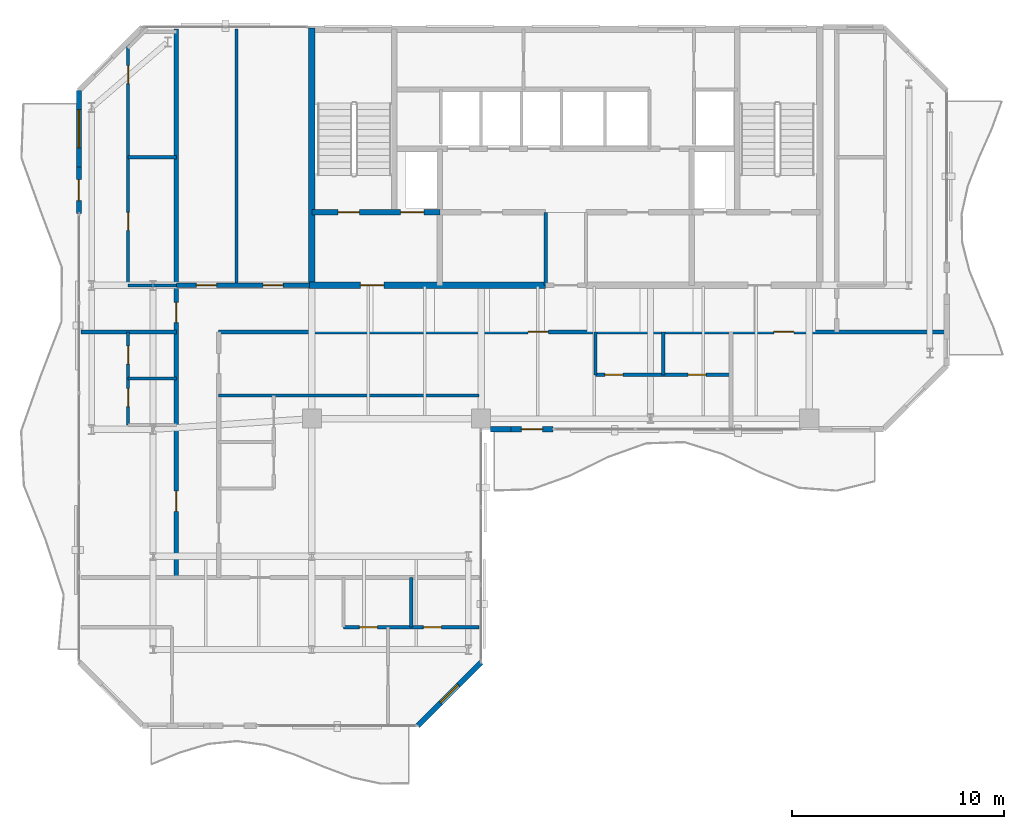
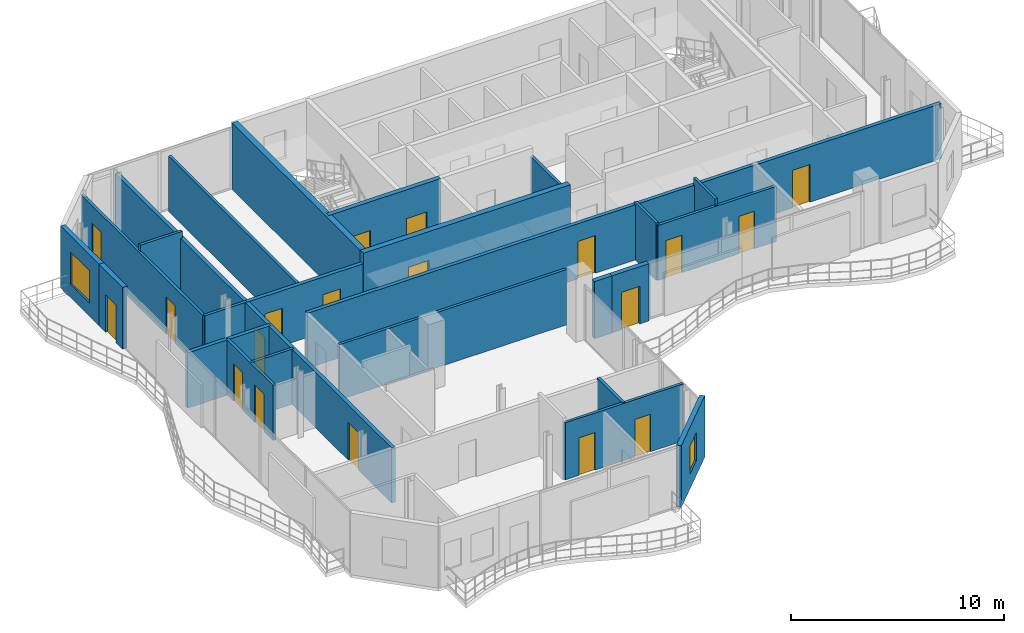
# One storey, part 18 of 23: 25 walls, 19 doors, 2 windows, 21 openings.
"""IFC4 building model written with IfcOpenShell, lengths in metres."""

from ifc_helpers import new_model, si_unit, direction, frame, frame_2d, origin, place, context, subcontext, project, spatial, rectangle, extrude, material, layer, layer_set, type_object, element, fill, save


model = new_model("IFC4")

# Units and contexts
model_context = context("Model", 3, precision=1e-05, world=origin(), true_north=direction((0.0, 1.0)))
body_context = subcontext(model_context, "Body", "Model", "MODEL_VIEW")
ifc_project = project(units=[si_unit("LENGTHUNIT", "METRE"), si_unit("AREAUNIT", "SQUARE_METRE"), si_unit("VOLUMEUNIT", "CUBIC_METRE"), si_unit("PLANEANGLEUNIT", "RADIAN"), si_unit("MASSUNIT", "GRAM", prefix="KILO")], contexts=[model_context])

# Site, building, storey
site_placement = place(None, origin())
site = spatial("IfcSite", under=ifc_project, at=site_placement, CompositionType="ELEMENT")
building_placement = place(site_placement, origin())
building = spatial("IfcBuilding", under=site, at=building_placement, Name="Catumbela Crestline Tower", CompositionType="ELEMENT")
storey_placement = place(building_placement, frame((0.0, 0.0, 245.0)))
storey = spatial("IfcBuildingStorey", under=building, at=storey_placement, Name="L63", CompositionType="ELEMENT", Elevation=245.0)

# Wall, openings, doors
ifc_material_1 = material(Name="Concrete C50/60", Category="concrete")
ifc_layer_1 = layer(ifc_material_1, 0.25, Name="Concrete C50/60")
ifc_layer_set_1 = layer_set([ifc_layer_1], Name="Concrete C50/60")
wall_type_1 = type_object("IfcWallType", Name="CW-250D", PredefinedType="SHEAR", material=ifc_layer_set_1)
wall_1_placement = place(storey_placement, frame((16.0, 34.25, 0.0), z_axis=(0.0, 0.0, 1.0), x_axis=(1.0, 0.0, 0.0)))
wall_1 = element("IfcWall", 1, at=wall_1_placement, inside=storey, type_object=wall_type_1, Name="L63 Structural Core Shear Wall ST1S", PredefinedType="SHEAR", context=body_context, shape_type="SweptSolid", body=[
    extrude(rectangle(XDim=6.05, YDim=0.25, at=frame_2d((3.025, 0.0))), origin(), (0.0, 0.0, 1.0), 3.8),
])
opening_1_placement = place(wall_1_placement, frame((1.25, 0.0, 0.0)))
opening_1 = element("IfcOpeningElement", 2, at=opening_1_placement, cuts=wall_1, Name="Opening DF9-100", PredefinedType="OPENING", context=body_context, shape_type="SweptSolid", body=[
    extrude(rectangle(XDim=1.0, YDim=2.15, at=frame_2d((0.5, 1.075))), frame((0.0, 0.135, 0.0), z_axis=(0.0, -1.0, 0.0), x_axis=(1.0, 0.0, 0.0)), (0.0, 0.0, 1.0), 0.27),
])
opening_2_placement = place(wall_1_placement, frame((4.2, 0.0, 0.0)))
opening_2 = element("IfcOpeningElement", 3, at=opening_2_placement, cuts=wall_1, Name="Opening LD-110", PredefinedType="OPENING", context=body_context, shape_type="SweptSolid", body=[
    extrude(rectangle(XDim=1.1, YDim=2.15, at=frame_2d((0.55, 1.075))), frame((0.0, 0.135, 0.0), z_axis=(0.0, -1.0, 0.0), x_axis=(1.0, 0.0, 0.0)), (0.0, 0.0, 1.0), 0.27),
])
ifc_material_2 = material(Name="Stainless steel EN 1.4401", Category="steel")
door_type_1 = type_object("IfcDoorType", Name="DF9-100", OperationType="NOTDEFINED", PredefinedType="DOOR", material=ifc_material_2)
door_1_placement = place(opening_1_placement, origin())
door_1 = element("IfcDoor", 4, at=door_1_placement, inside=storey, type_object=door_type_1, Name="L63 Interior Door DR-L63-ST01", OperationType="SINGLE_SWING_LEFT", OverallHeight=2.15, OverallWidth=1.0, PredefinedType="DOOR", context=body_context, shape_type="SweptSolid", body=[
    extrude(rectangle(XDim=1.0, YDim=2.15, at=frame_2d((0.5, 1.075))), frame((0.0, 0.025, 0.0), z_axis=(0.0, -1.0, 0.0), x_axis=(1.0, 0.0, 0.0)), (0.0, 0.0, 1.0), 0.05),
])
fill(opening_1, door_1)
door_type_2 = type_object("IfcDoorType", Name="LD-110", OperationType="NOTDEFINED", PredefinedType="DOOR", material=ifc_material_2)
door_2_placement = place(opening_2_placement, origin())
door_2 = element("IfcDoor", 5, at=door_2_placement, inside=storey, type_object=door_type_2, Name="L63 Lift Landing Sliding Door FL-01", OperationType="DOUBLE_DOOR_SLIDING", OverallHeight=2.15, OverallWidth=1.1, PredefinedType="DOOR", context=body_context, shape_type="SweptSolid", body=[
    extrude(rectangle(XDim=1.1, YDim=2.15, at=frame_2d((0.55, 1.075))), frame((0.0, 0.025, 0.0), z_axis=(0.0, -1.0, 0.0), x_axis=(1.0, 0.0, 0.0)), (0.0, 0.0, 1.0), 0.05),
])
fill(opening_2, door_2)

# Wall
ifc_material_3 = material(Name="Concrete C45/55", Category="concrete")
ifc_layer_2 = layer(ifc_material_3, 0.3, Name="Concrete C45/55")
ifc_layer_set_2 = layer_set([ifc_layer_2], Name="Concrete C45/55")
wall_type_2 = type_object("IfcWallType", Name="CW-300C", PredefinedType="SHEAR", material=ifc_layer_set_2)
wall_2_placement = place(storey_placement, frame((16.0, 30.65, 0.0), z_axis=(0.0, 0.0, 1.0), x_axis=(0.0, 1.0, 0.0)))
element("IfcWall", 6, at=wall_2_placement, inside=storey, type_object=wall_type_2, Name="L63 Structural Core Shear Wall W", PredefinedType="SHEAR", context=body_context, shape_type="SweptSolid", body=[
    extrude(rectangle(XDim=12.3, YDim=0.3, at=frame_2d((6.15, 0.0))), origin(), (0.0, 0.0, 1.0), 3.8),
])

# Wall, opening, door
wall_3_placement = place(storey_placement, frame((15.85, 30.8, 0.0), z_axis=(0.0, 0.0, 1.0), x_axis=(1.0, 0.0, 0.0)))
wall_3 = element("IfcWall", 7, at=wall_3_placement, inside=storey, type_object=wall_type_2, Name="L63 Structural Core Shear Wall SW", PredefinedType="SHEAR", context=body_context, shape_type="SweptSolid", body=[
    extrude(rectangle(XDim=11.2, YDim=0.3, at=frame_2d((5.6, 0.0))), origin(), (0.0, 0.0, 1.0), 3.8),
])
opening_3_placement = place(wall_3_placement, frame((2.45, 0.0, 0.0)))
opening_3 = element("IfcOpeningElement", 8, at=opening_3_placement, cuts=wall_3, Name="Opening DF9-110", PredefinedType="OPENING", context=body_context, shape_type="SweptSolid", body=[
    extrude(rectangle(XDim=1.1, YDim=2.15, at=frame_2d((0.55, 1.075))), frame((0.0, 0.16, 0.0), z_axis=(0.0, -1.0, 0.0), x_axis=(1.0, 0.0, 0.0)), (0.0, 0.0, 1.0), 0.32),
])
door_type_3 = type_object("IfcDoorType", Name="DF9-110", OperationType="NOTDEFINED", PredefinedType="DOOR", material=ifc_material_2)
door_3_placement = place(opening_3_placement, origin())
door_3 = element("IfcDoor", 9, at=door_3_placement, inside=storey, type_object=door_type_3, Name="L63 Interior Door DR-L63-FFW-S", OperationType="SINGLE_SWING_LEFT", OverallHeight=2.15, OverallWidth=1.1, PredefinedType="DOOR", context=body_context, shape_type="SweptSolid", body=[
    extrude(rectangle(XDim=1.1, YDim=2.15, at=frame_2d((0.55, 1.075))), frame((0.0, 0.025, 0.0), z_axis=(0.0, -1.0, 0.0), x_axis=(1.0, 0.0, 0.0)), (0.0, 0.0, 1.0), 0.05),
])
fill(opening_3, door_3)

# Wall, openings, doors
ifc_material_4 = material(Name="Acoustic gypsum and mineral-wool partition")
ifc_layer_3 = layer(ifc_material_4, 0.2, Name="Acoustic gypsum and mineral-wool partition")
ifc_layer_set_3 = layer_set([ifc_layer_3], Name="Acoustic gypsum and mineral-wool partition")
wall_type_3 = type_object("IfcWallType", Name="WC-200", PredefinedType="PARTITIONING", material=ifc_layer_set_3)
wall_4_placement = place(storey_placement, frame((11.6, 28.6, 0.0), z_axis=(0.0, 0.0, 1.0), x_axis=(1.0, 0.0, 0.0)))
wall_4 = element("IfcWall", 10, at=wall_4_placement, inside=storey, type_object=wall_type_3, Name="L63 Interior Partition PW-L63-RCWR", PredefinedType="PARTITIONING", context=body_context, shape_type="SweptSolid", body=[
    extrude(rectangle(XDim=34.3, YDim=0.2, at=frame_2d((17.15, 0.0))), origin(), (0.0, 0.0, 1.0), 3.16),
])
opening_4_placement = place(wall_4_placement, frame((14.625, 0.0, 0.0)))
opening_4 = element("IfcOpeningElement", 11, at=opening_4_placement, cuts=wall_4, Name="Opening DF6-095", PredefinedType="OPENING", context=body_context, shape_type="SweptSolid", body=[
    extrude(rectangle(XDim=0.95, YDim=2.15, at=frame_2d((0.475, 1.075))), frame((0.0, 0.11, 0.0), z_axis=(0.0, -1.0, 0.0), x_axis=(1.0, 0.0, 0.0)), (0.0, 0.0, 1.0), 0.22),
])
opening_5_placement = place(wall_4_placement, frame((26.225, 0.0, 0.0)))
opening_5 = element("IfcOpeningElement", 12, at=opening_5_placement, cuts=wall_4, Name="Opening DF6-095", PredefinedType="OPENING", context=body_context, shape_type="SweptSolid", body=[
    extrude(rectangle(XDim=0.95, YDim=2.15, at=frame_2d((0.475, 1.075))), frame((0.0, 0.11, 0.0), z_axis=(0.0, -1.0, 0.0), x_axis=(1.0, 0.0, 0.0)), (0.0, 0.0, 1.0), 0.22),
])
ifc_material_5 = material(Name="Aluminium alloy AW-6060-T66", Category="aluminium")
door_type_4 = type_object("IfcDoorType", Name="DF6-095", OperationType="NOTDEFINED", PredefinedType="DOOR", material=ifc_material_5)
door_4_placement = place(opening_4_placement, origin())
door_4 = element("IfcDoor", 13, at=door_4_placement, inside=storey, type_object=door_type_4, Name="L63 Interior Door DR-L63-S1-ENT", OperationType="SINGLE_SWING_LEFT", OverallHeight=2.15, OverallWidth=0.95, PredefinedType="DOOR", context=body_context, shape_type="SweptSolid", body=[
    extrude(rectangle(XDim=0.95, YDim=2.15, at=frame_2d((0.475, 1.075))), frame((0.0, 0.025, 0.0), z_axis=(0.0, -1.0, 0.0), x_axis=(1.0, 0.0, 0.0)), (0.0, 0.0, 1.0), 0.05),
])
fill(opening_4, door_4)
door_5_placement = place(opening_5_placement, origin())
door_5 = element("IfcDoor", 14, at=door_5_placement, inside=storey, type_object=door_type_4, Name="L63 Interior Door DR-L63-RWIN-ENT", OperationType="SINGLE_SWING_LEFT", OverallHeight=2.15, OverallWidth=0.95, PredefinedType="DOOR", context=body_context, shape_type="SweptSolid", body=[
    extrude(rectangle(XDim=0.95, YDim=2.15, at=frame_2d((0.475, 1.075))), frame((0.0, 0.025, 0.0), z_axis=(0.0, -1.0, 0.0), x_axis=(1.0, 0.0, 0.0)), (0.0, 0.0, 1.0), 0.05),
])
fill(opening_5, door_5)

wall_5_placement = place(storey_placement, frame((9.6, 17.0, 0.0), z_axis=(0.0, 0.0, 1.0), x_axis=(0.0, 1.0, 0.0)))
wall_5 = element("IfcWall", 15, at=wall_5_placement, inside=storey, type_object=wall_type_3, Name="L63 Interior Partition PW-L63-NW1-ENT", PredefinedType="PARTITIONING", context=body_context, shape_type="SweptSolid", body=[
    extrude(rectangle(XDim=25.9, YDim=0.2, at=frame_2d((12.95, 0.0))), origin(), (0.0, 0.0, 1.0), 3.16),
])
opening_6_placement = place(wall_5_placement, frame((12.045, 0.0, 0.0)))
opening_6 = element("IfcOpeningElement", 16, at=opening_6_placement, cuts=wall_5, Name="Opening DF6-095", PredefinedType="OPENING", context=body_context, shape_type="SweptSolid", body=[
    extrude(rectangle(XDim=0.95, YDim=2.15, at=frame_2d((0.475, 1.075))), frame((0.0, 0.11, 0.0), z_axis=(0.0, -1.0, 0.0), x_axis=(1.0, 0.0, 0.0)), (0.0, 0.0, 1.0), 0.22),
])
opening_7_placement = place(wall_5_placement, frame((3.125, 0.0, 0.0)))
opening_7 = element("IfcOpeningElement", 17, at=opening_7_placement, cuts=wall_5, Name="Opening DF6-095", PredefinedType="OPENING", context=body_context, shape_type="SweptSolid", body=[
    extrude(rectangle(XDim=0.95, YDim=2.15, at=frame_2d((0.475, 1.075))), frame((0.0, 0.11, 0.0), z_axis=(0.0, -1.0, 0.0), x_axis=(1.0, 0.0, 0.0)), (0.0, 0.0, 1.0), 0.22),
])
door_6_placement = place(opening_6_placement, origin())
door_6 = element("IfcDoor", 18, at=door_6_placement, inside=storey, type_object=door_type_4, Name="L63 Interior Door DR-L63-NW1-ENT", OperationType="SINGLE_SWING_LEFT", OverallHeight=2.15, OverallWidth=0.95, PredefinedType="DOOR", context=body_context, shape_type="SweptSolid", body=[
    extrude(rectangle(XDim=0.95, YDim=2.15, at=frame_2d((0.475, 1.075))), frame((0.0, 0.025, 0.0), z_axis=(0.0, -1.0, 0.0), x_axis=(1.0, 0.0, 0.0)), (0.0, 0.0, 1.0), 0.05),
])
fill(opening_6, door_6)
door_7_placement = place(opening_7_placement, origin())
door_7 = element("IfcDoor", 19, at=door_7_placement, inside=storey, type_object=door_type_4, Name="L63 Interior Door DR-L63-WL1-ENT", OperationType="SINGLE_SWING_LEFT", OverallHeight=2.15, OverallWidth=0.95, PredefinedType="DOOR", context=body_context, shape_type="SweptSolid", body=[
    extrude(rectangle(XDim=0.95, YDim=2.15, at=frame_2d((0.475, 1.075))), frame((0.0, 0.025, 0.0), z_axis=(0.0, -1.0, 0.0), x_axis=(1.0, 0.0, 0.0)), (0.0, 0.0, 1.0), 0.05),
])
fill(opening_7, door_7)

wall_6_placement = place(storey_placement, frame((9.6, 30.8, 0.0), z_axis=(0.0, 0.0, 1.0), x_axis=(1.0, 0.0, 0.0)))
wall_6 = element("IfcWall", 20, at=wall_6_placement, inside=storey, type_object=wall_type_3, Name="L63 Interior Partition PW-L63-NWST-ENT", PredefinedType="PARTITIONING", context=body_context, shape_type="SweptSolid", body=[
    extrude(rectangle(XDim=6.3, YDim=0.2, at=frame_2d((3.15, 0.0))), origin(), (0.0, 0.0, 1.0), 3.16),
])
opening_8_placement = place(wall_6_placement, frame((0.95, 0.0, 0.0)))
opening_8 = element("IfcOpeningElement", 21, at=opening_8_placement, cuts=wall_6, Name="Opening DF6-095", PredefinedType="OPENING", context=body_context, shape_type="SweptSolid", body=[
    extrude(rectangle(XDim=0.95, YDim=2.15, at=frame_2d((0.475, 1.075))), frame((0.0, 0.11, 0.0), z_axis=(0.0, -1.0, 0.0), x_axis=(1.0, 0.0, 0.0)), (0.0, 0.0, 1.0), 0.22),
])
opening_9_placement = place(wall_6_placement, frame((4.1, 0.0, 0.0)))
opening_9 = element("IfcOpeningElement", 22, at=opening_9_placement, cuts=wall_6, Name="Opening DF6-095", PredefinedType="OPENING", context=body_context, shape_type="SweptSolid", body=[
    extrude(rectangle(XDim=0.95, YDim=2.15, at=frame_2d((0.475, 1.075))), frame((0.0, 0.11, 0.0), z_axis=(0.0, -1.0, 0.0), x_axis=(1.0, 0.0, 0.0)), (0.0, 0.0, 1.0), 0.22),
])
door_8_placement = place(opening_8_placement, origin())
door_8 = element("IfcDoor", 23, at=door_8_placement, inside=storey, type_object=door_type_4, Name="L63 Interior Door DR-L63-NWST-ENT", OperationType="SINGLE_SWING_LEFT", OverallHeight=2.15, OverallWidth=0.95, PredefinedType="DOOR", context=body_context, shape_type="SweptSolid", body=[
    extrude(rectangle(XDim=0.95, YDim=2.15, at=frame_2d((0.475, 1.075))), frame((0.0, 0.025, 0.0), z_axis=(0.0, -1.0, 0.0), x_axis=(1.0, 0.0, 0.0)), (0.0, 0.0, 1.0), 0.05),
])
fill(opening_8, door_8)
door_9_placement = place(opening_9_placement, origin())
door_9 = element("IfcDoor", 24, at=door_9_placement, inside=storey, type_object=door_type_4, Name="L63 Interior Door DR-L63-NWMT-ENT", OperationType="SINGLE_SWING_LEFT", OverallHeight=2.15, OverallWidth=0.95, PredefinedType="DOOR", context=body_context, shape_type="SweptSolid", body=[
    extrude(rectangle(XDim=0.95, YDim=2.15, at=frame_2d((0.475, 1.075))), frame((0.0, 0.025, 0.0), z_axis=(0.0, -1.0, 0.0), x_axis=(1.0, 0.0, 0.0)), (0.0, 0.0, 1.0), 0.05),
])
fill(opening_9, door_9)

# Wall, opening, window
ifc_material_6 = material(Name="Angolan grey-ochre granite", Category="masonry")
ifc_layer_4 = layer(ifc_material_6, 0.25, Name="Angolan grey-ochre granite")
ifc_layer_set_4 = layer_set([ifc_layer_4], Name="Angolan grey-ochre granite")
wall_type_4 = type_object("IfcWallType", Name="WE-250", PredefinedType="STANDARD", material=ifc_layer_set_4)
wall_7_placement = place(storey_placement, frame((21.0, 10.0, 0.0), z_axis=(0.0, 0.0, 1.0), x_axis=(0.707106781187, 0.707106781187, 0.0)))
wall_7 = element("IfcWall", 25, at=wall_7_placement, inside=storey, type_object=wall_type_4, Name="L63 Granite Punched Window Wall 1-1", PredefinedType="STANDARD", context=body_context, shape_type="SweptSolid", body=[
    extrude(rectangle(XDim=4.2426, YDim=0.25, at=frame_2d((2.1213, 0.0))), origin(), (0.0, 0.0, 1.0), 3.53),
])
opening_10_placement = place(wall_7_placement, frame((1.5213, 0.0, 0.85)))
opening_10 = element("IfcOpeningElement", 26, at=opening_10_placement, cuts=wall_7, Name="Opening WN-02", PredefinedType="OPENING", context=body_context, shape_type="SweptSolid", body=[
    extrude(rectangle(XDim=1.2, YDim=1.6, at=frame_2d((0.6, 0.8))), frame((0.0, 0.135, 0.0), z_axis=(0.0, -1.0, 0.0), x_axis=(1.0, 0.0, 0.0)), (0.0, 0.0, 1.0), 0.27),
])
ifc_material_7 = material(Name="Low-E laminated solar-control double glazing", Category="glass")
window_type_1 = type_object("IfcWindowType", Name="WO-1200", PartitioningType="SINGLE_PANEL", PredefinedType="WINDOW", material=ifc_material_7)
window_1_placement = place(opening_10_placement, origin())
window_1 = element("IfcWindow", 27, at=window_1_placement, inside=storey, type_object=window_type_1, Name="L63 Facade Vision Window 470", OverallHeight=1.6, OverallWidth=1.2, PartitioningType="SINGLE_PANEL", PredefinedType="WINDOW", context=body_context, shape_type="SweptSolid", body=[
    extrude(rectangle(XDim=1.2, YDim=1.6, at=frame_2d((0.6, 0.8))), frame((0.0, 0.03, 0.0), z_axis=(0.0, -1.0, 0.0), x_axis=(1.0, 0.0, 0.0)), (0.0, 0.0, 1.0), 0.06),
])
fill(opening_10, window_1)

# Wall, opening, door
wall_8_placement = place(storey_placement, frame((25.4, 24.0, 0.0), z_axis=(0.0, 0.0, 1.0), x_axis=(1.0, 0.0, 0.0)))
wall_8 = element("IfcWall", 28, at=wall_8_placement, inside=storey, type_object=wall_type_4, Name="L63 Exterior Threshold Portal Wall DR-L63-WBAL-1", PredefinedType="STANDARD", context=body_context, shape_type="SweptSolid", body=[
    extrude(rectangle(XDim=2.0, YDim=0.25, at=frame_2d((1.0, 0.0))), origin(), (0.0, 0.0, 1.0), 3.27),
])
opening_11_placement = place(wall_8_placement, frame((0.5, 0.0, 0.0)))
opening_11 = element("IfcOpeningElement", 29, at=opening_11_placement, cuts=wall_8, Name="Opening DB-L63-1", PredefinedType="OPENING", context=body_context, shape_type="SweptSolid", body=[
    extrude(rectangle(XDim=1.0, YDim=2.15, at=frame_2d((0.5, 1.075))), frame((0.0, 0.135, 0.0), z_axis=(0.0, -1.0, 0.0), x_axis=(1.0, 0.0, 0.0)), (0.0, 0.0, 1.0), 0.27),
])
door_type_5 = type_object("IfcDoorType", Name="DB-1000", OperationType="NOTDEFINED", PredefinedType="DOOR", material=ifc_material_5)
door_10_placement = place(opening_11_placement, origin())
door_10 = element("IfcDoor", 30, at=door_10_placement, inside=storey, type_object=door_type_5, Name="L63 Wave Balcony Terrace Door 1", OperationType="SINGLE_SWING_LEFT", OverallHeight=2.15, OverallWidth=1.0, PredefinedType="DOOR", context=body_context, shape_type="SweptSolid", body=[
    extrude(rectangle(XDim=1.0, YDim=2.15, at=frame_2d((0.5, 1.075))), frame((0.0, 0.025, 0.0), z_axis=(0.0, -1.0, 0.0), x_axis=(1.0, 0.0, 0.0)), (0.0, 0.0, 1.0), 0.05),
])
fill(opening_11, door_10)

# Wall
wall_9_placement = place(storey_placement, frame((24.45, 24.0, 0.0), z_axis=(0.0, 0.0, 1.0), x_axis=(1.0, 0.0, 0.0)))
element("IfcWall", 31, at=wall_9_placement, inside=storey, type_object=wall_type_4, Name="L63 Granite Punched Window Wall 3-1", PredefinedType="STANDARD", context=body_context, shape_type="SweptSolid", body=[
    extrude(rectangle(XDim=0.95, YDim=0.25, at=frame_2d((0.475, 0.0))), origin(), (0.0, 0.0, 1.0), 3.27),
])

# Wall, opening, door
wall_10_placement = place(storey_placement, frame((5.0, 36.4, 0.0), z_axis=(0.0, 0.0, 1.0), x_axis=(0.0, -1.0, 0.0)))
wall_10 = element("IfcWall", 32, at=wall_10_placement, inside=storey, type_object=wall_type_4, Name="L63 Exterior Threshold Portal Wall DR-L63-WBAL-4", PredefinedType="STANDARD", context=body_context, shape_type="SweptSolid", body=[
    extrude(rectangle(XDim=2.2, YDim=0.25, at=frame_2d((1.1, 0.0))), origin(), (0.0, 0.0, 1.0), 3.53),
])
opening_12_placement = place(wall_10_placement, frame((0.6, 0.0, 0.0)))
opening_12 = element("IfcOpeningElement", 33, at=opening_12_placement, cuts=wall_10, Name="Opening DB-L63-4", PredefinedType="OPENING", context=body_context, shape_type="SweptSolid", body=[
    extrude(rectangle(XDim=1.0, YDim=2.15, at=frame_2d((0.5, 1.075))), frame((0.0, 0.135, 0.0), z_axis=(0.0, -1.0, 0.0), x_axis=(1.0, 0.0, 0.0)), (0.0, 0.0, 1.0), 0.27),
])
door_11_placement = place(opening_12_placement, origin())
door_11 = element("IfcDoor", 34, at=door_11_placement, inside=storey, type_object=door_type_5, Name="L63 Wave Balcony Terrace Door 4", OperationType="SINGLE_SWING_RIGHT", OverallHeight=2.15, OverallWidth=1.0, PredefinedType="DOOR", context=body_context, shape_type="SweptSolid", body=[
    extrude(rectangle(XDim=1.0, YDim=2.15, at=frame_2d((0.5, 1.075))), frame((0.0, 0.025, 0.0), z_axis=(0.0, -1.0, 0.0), x_axis=(1.0, 0.0, 0.0)), (0.0, 0.0, 1.0), 0.05),
])
fill(opening_12, door_11)

# Wall, opening, window
wall_11_placement = place(storey_placement, frame((5.0, 40.0, 0.0), z_axis=(0.0, 0.0, 1.0), x_axis=(0.0, -1.0, 0.0)))
wall_11 = element("IfcWall", 35, at=wall_11_placement, inside=storey, type_object=wall_type_4, Name="L63 Granite Punched Window Wall 9-1", PredefinedType="STANDARD", context=body_context, shape_type="SweptSolid", body=[
    extrude(rectangle(XDim=3.6, YDim=0.25, at=frame_2d((1.8, 0.0))), origin(), (0.0, 0.0, 1.0), 3.53),
])
opening_13_placement = place(wall_11_placement, frame((0.9, 0.0, 0.75)))
opening_13 = element("IfcOpeningElement", 36, at=opening_13_placement, cuts=wall_11, Name="Opening WN-01", PredefinedType="OPENING", context=body_context, shape_type="SweptSolid", body=[
    extrude(rectangle(XDim=1.8, YDim=1.85, at=frame_2d((0.9, 0.925))), frame((0.0, 0.135, 0.0), z_axis=(0.0, -1.0, 0.0), x_axis=(1.0, 0.0, 0.0)), (0.0, 0.0, 1.0), 0.27),
])
window_type_2 = type_object("IfcWindowType", Name="WF-1800", PartitioningType="SINGLE_PANEL", PredefinedType="WINDOW", material=ifc_material_7)
window_2_placement = place(opening_13_placement, origin())
window_2 = element("IfcWindow", 37, at=window_2_placement, inside=storey, type_object=window_type_2, Name="L63 Facade Vision Window 477", OverallHeight=1.85, OverallWidth=1.8, PartitioningType="SINGLE_PANEL", PredefinedType="WINDOW", context=body_context, shape_type="SweptSolid", body=[
    extrude(rectangle(XDim=1.8, YDim=1.85, at=frame_2d((0.9, 0.925))), frame((0.0, 0.03, 0.0), z_axis=(0.0, -1.0, 0.0), x_axis=(1.0, 0.0, 0.0)), (0.0, 0.0, 1.0), 0.06),
])
fill(opening_13, window_2)

# Walls
ifc_layer_5 = layer(ifc_material_4, 0.15, Name="Acoustic gypsum and mineral-wool partition")
ifc_layer_set_5 = layer_set([ifc_layer_5], Name="Acoustic gypsum and mineral-wool partition")
wall_type_5 = type_object("IfcWallType", Name="WP-150", PredefinedType="PARTITIONING", material=ifc_layer_set_5)
wall_12_placement = place(storey_placement, frame((7.32, 30.8, 0.0), z_axis=(0.0, 0.0, 1.0), x_axis=(1.0, 0.0, 0.0)))
element("IfcWall", 38, at=wall_12_placement, inside=storey, type_object=wall_type_5, Name="L63 Interior Partition PW-L63-NW1-KBS", PredefinedType="PARTITIONING", context=body_context, shape_type="SweptSolid", body=[
    extrude(rectangle(XDim=2.28, YDim=0.15, at=frame_2d((1.14, 0.0))), origin(), (0.0, 0.0, 1.0), 3.16),
])
wall_13_placement = place(storey_placement, frame((7.32, 36.85, 0.0), z_axis=(0.0, 0.0, 1.0), x_axis=(1.0, 0.0, 0.0)))
element("IfcWall", 39, at=wall_13_placement, inside=storey, type_object=wall_type_5, Name="L63 Interior Partition PW-L63-NW1-KBM", PredefinedType="PARTITIONING", context=body_context, shape_type="SweptSolid", body=[
    extrude(rectangle(XDim=2.28, YDim=0.15, at=frame_2d((1.14, 0.0))), origin(), (0.0, 0.0, 1.0), 3.53),
])

# Wall, openings, doors
wall_14_placement = place(storey_placement, frame((7.32, 30.8, 0.0), z_axis=(0.0, 0.0, 1.0), x_axis=(0.0, 1.0, 0.0)))
wall_14 = element("IfcWall", 40, at=wall_14_placement, inside=storey, type_object=wall_type_5, Name="L63 Interior Partition PW-L63-NW1-SK1", PredefinedType="PARTITIONING", context=body_context, shape_type="SweptSolid", body=[
    extrude(rectangle(XDim=11.42, YDim=0.15, at=frame_2d((5.71, 0.0))), origin(), (0.0, 0.0, 1.0), 3.16),
])
opening_14_placement = place(wall_14_placement, frame((2.6, 0.0, 0.0)))
opening_14 = element("IfcOpeningElement", 41, at=opening_14_placement, cuts=wall_14, Name="Opening DI-085", PredefinedType="OPENING", context=body_context, shape_type="SweptSolid", body=[
    extrude(rectangle(XDim=0.85, YDim=2.15, at=frame_2d((0.425, 1.075))), frame((0.0, 0.085, 0.0), z_axis=(0.0, -1.0, 0.0), x_axis=(1.0, 0.0, 0.0)), (0.0, 0.0, 1.0), 0.17),
])
opening_15_placement = place(wall_14_placement, frame((9.5261, 0.0, 0.0)))
opening_15 = element("IfcOpeningElement", 42, at=opening_15_placement, cuts=wall_14, Name="Opening DI-085", PredefinedType="OPENING", context=body_context, shape_type="SweptSolid", body=[
    extrude(rectangle(XDim=0.85, YDim=2.15, at=frame_2d((0.425, 1.075))), frame((0.0, 0.085, 0.0), z_axis=(0.0, -1.0, 0.0), x_axis=(1.0, 0.0, 0.0)), (0.0, 0.0, 1.0), 0.17),
])
door_type_6 = type_object("IfcDoorType", Name="DI-085", OperationType="NOTDEFINED", PredefinedType="DOOR", material=ifc_material_5)
door_12_placement = place(opening_14_placement, origin())
door_12 = element("IfcDoor", 43, at=door_12_placement, inside=storey, type_object=door_type_6, Name="L63 Interior Door DR-L63-NW1-KIT", OperationType="SINGLE_SWING_LEFT", OverallHeight=2.15, OverallWidth=0.85, PredefinedType="DOOR", context=body_context, shape_type="SweptSolid", body=[
    extrude(rectangle(XDim=0.85, YDim=2.15, at=frame_2d((0.425, 1.075))), frame((0.0, 0.025, 0.0), z_axis=(0.0, -1.0, 0.0), x_axis=(1.0, 0.0, 0.0)), (0.0, 0.0, 1.0), 0.05),
])
fill(opening_14, door_12)
door_13_placement = place(opening_15_placement, origin())
door_13 = element("IfcDoor", 44, at=door_13_placement, inside=storey, type_object=door_type_6, Name="L63 Interior Door DR-L63-NW1-BTH", OperationType="SINGLE_SWING_RIGHT", OverallHeight=2.15, OverallWidth=0.85, PredefinedType="DOOR", context=body_context, shape_type="SweptSolid", body=[
    extrude(rectangle(XDim=0.85, YDim=2.15, at=frame_2d((0.425, 1.075))), frame((0.0, 0.025, 0.0), z_axis=(0.0, -1.0, 0.0), x_axis=(1.0, 0.0, 0.0)), (0.0, 0.0, 1.0), 0.05),
])
fill(opening_15, door_13)

# Walls
wall_15_placement = place(storey_placement, frame((12.45, 30.8, 0.0), z_axis=(0.0, 0.0, 1.0), x_axis=(0.0, 1.0, 0.0)))
element("IfcWall", 45, at=wall_15_placement, inside=storey, type_object=wall_type_5, Name="L63 Interior Partition PW-L63-NWSTM", PredefinedType="PARTITIONING", context=body_context, shape_type="SweptSolid", body=[
    extrude(rectangle(XDim=12.1, YDim=0.15, at=frame_2d((6.05, 0.0))), origin(), (0.0, 0.0, 1.0), 3.16),
])
wall_16_placement = place(storey_placement, frame((29.4, 26.576, 0.0), z_axis=(0.0, 0.0, 1.0), x_axis=(0.0, 1.0, 0.0)))
element("IfcWall", 46, at=wall_16_placement, inside=storey, type_object=wall_type_5, Name="L63 Interior Partition PW-L63-S1-KBW", PredefinedType="PARTITIONING", context=body_context, shape_type="SweptSolid", body=[
    extrude(rectangle(XDim=2.024, YDim=0.15, at=frame_2d((1.012, 0.0))), origin(), (0.0, 0.0, 1.0), 3.28),
])
wall_17_placement = place(storey_placement, frame((32.6, 26.576, 0.0), z_axis=(0.0, 0.0, 1.0), x_axis=(0.0, 1.0, 0.0)))
element("IfcWall", 47, at=wall_17_placement, inside=storey, type_object=wall_type_5, Name="L63 Interior Partition PW-L63-S1-KBM", PredefinedType="PARTITIONING", context=body_context, shape_type="SweptSolid", body=[
    extrude(rectangle(XDim=2.024, YDim=0.15, at=frame_2d((1.012, 0.0))), origin(), (0.0, 0.0, 1.0), 3.53),
])

# Wall, openings, doors
wall_18_placement = place(storey_placement, frame((29.4, 26.576, 0.0), z_axis=(0.0, 0.0, 1.0), x_axis=(1.0, 0.0, 0.0)))
wall_18 = element("IfcWall", 48, at=wall_18_placement, inside=storey, type_object=wall_type_5, Name="L63 Interior Partition PW-L63-S1-KBD1", PredefinedType="PARTITIONING", context=body_context, shape_type="SweptSolid", body=[
    extrude(rectangle(XDim=6.4, YDim=0.15, at=frame_2d((3.2, 0.0))), origin(), (0.0, 0.0, 1.0), 3.16),
])
opening_16_placement = place(wall_18_placement, frame((0.4453, 0.0, 0.0)))
opening_16 = element("IfcOpeningElement", 49, at=opening_16_placement, cuts=wall_18, Name="Opening DI-085", PredefinedType="OPENING", context=body_context, shape_type="SweptSolid", body=[
    extrude(rectangle(XDim=0.85, YDim=2.15, at=frame_2d((0.425, 1.075))), frame((0.0, 0.085, 0.0), z_axis=(0.0, -1.0, 0.0), x_axis=(1.0, 0.0, 0.0)), (0.0, 0.0, 1.0), 0.17),
])
opening_17_placement = place(wall_18_placement, frame((4.375, 0.0, 0.0)))
opening_17 = element("IfcOpeningElement", 50, at=opening_17_placement, cuts=wall_18, Name="Opening DI-085", PredefinedType="OPENING", context=body_context, shape_type="SweptSolid", body=[
    extrude(rectangle(XDim=0.85, YDim=2.15, at=frame_2d((0.425, 1.075))), frame((0.0, 0.085, 0.0), z_axis=(0.0, -1.0, 0.0), x_axis=(1.0, 0.0, 0.0)), (0.0, 0.0, 1.0), 0.17),
])
door_14_placement = place(opening_16_placement, origin())
door_14 = element("IfcDoor", 51, at=door_14_placement, inside=storey, type_object=door_type_6, Name="L63 Interior Door DR-L63-S1-BTH", OperationType="SINGLE_SWING_LEFT", OverallHeight=2.15, OverallWidth=0.85, PredefinedType="DOOR", context=body_context, shape_type="SweptSolid", body=[
    extrude(rectangle(XDim=0.85, YDim=2.15, at=frame_2d((0.425, 1.075))), frame((0.0, 0.025, 0.0), z_axis=(0.0, -1.0, 0.0), x_axis=(1.0, 0.0, 0.0)), (0.0, 0.0, 1.0), 0.05),
])
fill(opening_16, door_14)
door_15_placement = place(opening_17_placement, origin())
door_15 = element("IfcDoor", 52, at=door_15_placement, inside=storey, type_object=door_type_6, Name="L63 Interior Door DR-L63-S1-KIT", OperationType="SINGLE_SWING_RIGHT", OverallHeight=2.15, OverallWidth=0.85, PredefinedType="DOOR", context=body_context, shape_type="SweptSolid", body=[
    extrude(rectangle(XDim=0.85, YDim=2.15, at=frame_2d((0.425, 1.075))), frame((0.0, 0.025, 0.0), z_axis=(0.0, -1.0, 0.0), x_axis=(1.0, 0.0, 0.0)), (0.0, 0.0, 1.0), 0.05),
])
fill(opening_17, door_15)

# Wall
wall_19_placement = place(storey_placement, frame((7.32, 26.4, 0.0), z_axis=(0.0, 0.0, 1.0), x_axis=(1.0, 0.0, 0.0)))
element("IfcWall", 53, at=wall_19_placement, inside=storey, type_object=wall_type_5, Name="L63 Interior Partition PW-L63-WL1-KBM", PredefinedType="PARTITIONING", context=body_context, shape_type="SweptSolid", body=[
    extrude(rectangle(XDim=2.28, YDim=0.15, at=frame_2d((1.14, 0.0))), origin(), (0.0, 0.0, 1.0), 3.16),
])

# Wall, openings, doors
wall_20_placement = place(storey_placement, frame((7.32, 24.2, 0.0), z_axis=(0.0, 0.0, 1.0), x_axis=(0.0, 1.0, 0.0)))
wall_20 = element("IfcWall", 54, at=wall_20_placement, inside=storey, type_object=wall_type_5, Name="L63 Interior Partition PW-L63-WL1-SK1", PredefinedType="PARTITIONING", context=body_context, shape_type="SweptSolid", body=[
    extrude(rectangle(XDim=4.4, YDim=0.15, at=frame_2d((2.2, 0.0))), origin(), (0.0, 0.0, 1.0), 3.16),
])
opening_18_placement = place(wall_20_placement, frame((0.8733, 0.0, 0.0)))
opening_18 = element("IfcOpeningElement", 55, at=opening_18_placement, cuts=wall_20, Name="Opening DI-085", PredefinedType="OPENING", context=body_context, shape_type="SweptSolid", body=[
    extrude(rectangle(XDim=0.85, YDim=2.15, at=frame_2d((0.425, 1.075))), frame((0.0, 0.085, 0.0), z_axis=(0.0, -1.0, 0.0), x_axis=(1.0, 0.0, 0.0)), (0.0, 0.0, 1.0), 0.17),
])
opening_19_placement = place(wall_20_placement, frame((2.875, 0.0, 0.0)))
opening_19 = element("IfcOpeningElement", 56, at=opening_19_placement, cuts=wall_20, Name="Opening DI-085", PredefinedType="OPENING", context=body_context, shape_type="SweptSolid", body=[
    extrude(rectangle(XDim=0.85, YDim=2.15, at=frame_2d((0.425, 1.075))), frame((0.0, 0.085, 0.0), z_axis=(0.0, -1.0, 0.0), x_axis=(1.0, 0.0, 0.0)), (0.0, 0.0, 1.0), 0.17),
])
door_16_placement = place(opening_18_placement, origin())
door_16 = element("IfcDoor", 57, at=door_16_placement, inside=storey, type_object=door_type_6, Name="L63 Interior Door DR-L63-WL1-KIT", OperationType="SINGLE_SWING_LEFT", OverallHeight=2.15, OverallWidth=0.85, PredefinedType="DOOR", context=body_context, shape_type="SweptSolid", body=[
    extrude(rectangle(XDim=0.85, YDim=2.15, at=frame_2d((0.425, 1.075))), frame((0.0, 0.025, 0.0), z_axis=(0.0, -1.0, 0.0), x_axis=(1.0, 0.0, 0.0)), (0.0, 0.0, 1.0), 0.05),
])
fill(opening_18, door_16)
door_17_placement = place(opening_19_placement, origin())
door_17 = element("IfcDoor", 58, at=door_17_placement, inside=storey, type_object=door_type_6, Name="L63 Interior Door DR-L63-WL1-BTH", OperationType="SINGLE_SWING_RIGHT", OverallHeight=2.15, OverallWidth=0.85, PredefinedType="DOOR", context=body_context, shape_type="SweptSolid", body=[
    extrude(rectangle(XDim=0.85, YDim=2.15, at=frame_2d((0.425, 1.075))), frame((0.0, 0.025, 0.0), z_axis=(0.0, -1.0, 0.0), x_axis=(1.0, 0.0, 0.0)), (0.0, 0.0, 1.0), 0.05),
])
fill(opening_19, door_17)

# Walls
wall_21_placement = place(storey_placement, frame((11.6, 25.6, 0.0), z_axis=(0.0, 0.0, 1.0), x_axis=(1.0, 0.0, 0.0)))
element("IfcWall", 59, at=wall_21_placement, inside=storey, type_object=wall_type_5, Name="L63 Interior Partition PW-L63-RWRP", PredefinedType="PARTITIONING", context=body_context, shape_type="SweptSolid", body=[
    extrude(rectangle(XDim=12.3, YDim=0.15, at=frame_2d((6.15, 0.0))), origin(), (0.0, 0.0, 1.0), 3.16),
])
wall_22_placement = place(storey_placement, frame((20.7, 14.65, 0.0), z_axis=(0.0, 0.0, 1.0), x_axis=(0.0, 1.0, 0.0)))
element("IfcWall", 60, at=wall_22_placement, inside=storey, type_object=wall_type_5, Name="L63 Interior Partition PW-L63-SH1-KBM", PredefinedType="PARTITIONING", context=body_context, shape_type="SweptSolid", body=[
    extrude(rectangle(XDim=2.35, YDim=0.15, at=frame_2d((1.175, 0.0))), origin(), (0.0, 0.0, 1.0), 3.28),
])

# Wall, openings, doors
wall_23_placement = place(storey_placement, frame((17.5, 14.65, 0.0), z_axis=(0.0, 0.0, 1.0), x_axis=(1.0, 0.0, 0.0)))
wall_23 = element("IfcWall", 61, at=wall_23_placement, inside=storey, type_object=wall_type_5, Name="L63 Interior Partition PW-L63-SH1-KBD1", PredefinedType="PARTITIONING", context=body_context, shape_type="SweptSolid", body=[
    extrude(rectangle(XDim=6.4, YDim=0.15, at=frame_2d((3.2, 0.0))), origin(), (0.0, 0.0, 1.0), 3.27),
])
opening_20_placement = place(wall_23_placement, frame((0.7532, 0.0, 0.0)))
opening_20 = element("IfcOpeningElement", 62, at=opening_20_placement, cuts=wall_23, Name="Opening DI-085", PredefinedType="OPENING", context=body_context, shape_type="SweptSolid", body=[
    extrude(rectangle(XDim=0.85, YDim=2.15, at=frame_2d((0.425, 1.075))), frame((0.0, 0.085, 0.0), z_axis=(0.0, -1.0, 0.0), x_axis=(1.0, 0.0, 0.0)), (0.0, 0.0, 1.0), 0.17),
])
opening_21_placement = place(wall_23_placement, frame((3.7705, 0.0, 0.0)))
opening_21 = element("IfcOpeningElement", 63, at=opening_21_placement, cuts=wall_23, Name="Opening DI-085", PredefinedType="OPENING", context=body_context, shape_type="SweptSolid", body=[
    extrude(rectangle(XDim=0.85, YDim=2.15, at=frame_2d((0.425, 1.075))), frame((0.0, 0.085, 0.0), z_axis=(0.0, -1.0, 0.0), x_axis=(1.0, 0.0, 0.0)), (0.0, 0.0, 1.0), 0.17),
])
door_18_placement = place(opening_20_placement, origin())
door_18 = element("IfcDoor", 64, at=door_18_placement, inside=storey, type_object=door_type_6, Name="L63 Interior Door DR-L63-SH1-BTH", OperationType="SINGLE_SWING_LEFT", OverallHeight=2.15, OverallWidth=0.85, PredefinedType="DOOR", context=body_context, shape_type="SweptSolid", body=[
    extrude(rectangle(XDim=0.85, YDim=2.15, at=frame_2d((0.425, 1.075))), frame((0.0, 0.025, 0.0), z_axis=(0.0, -1.0, 0.0), x_axis=(1.0, 0.0, 0.0)), (0.0, 0.0, 1.0), 0.05),
])
fill(opening_20, door_18)
door_19_placement = place(opening_21_placement, origin())
door_19 = element("IfcDoor", 65, at=door_19_placement, inside=storey, type_object=door_type_6, Name="L63 Interior Door DR-L63-SH1-KIT", OperationType="SINGLE_SWING_RIGHT", OverallHeight=2.15, OverallWidth=0.85, PredefinedType="DOOR", context=body_context, shape_type="SweptSolid", body=[
    extrude(rectangle(XDim=0.85, YDim=2.15, at=frame_2d((0.425, 1.075))), frame((0.0, 0.025, 0.0), z_axis=(0.0, -1.0, 0.0), x_axis=(1.0, 0.0, 0.0)), (0.0, 0.0, 1.0), 0.05),
])
fill(opening_21, door_19)

# Walls
ifc_layer_6 = layer(ifc_material_4, 0.2, Name="Acoustic gypsum and mineral-wool partition")
ifc_layer_set_6 = layer_set([ifc_layer_6], Name="Acoustic gypsum and mineral-wool partition")
wall_type_6 = type_object("IfcWallType", Name="WY-200", PredefinedType="PARTITIONING", material=ifc_layer_set_6)
wall_24_placement = place(storey_placement, frame((5.1, 28.6, 0.0), z_axis=(0.0, 0.0, 1.0), x_axis=(1.0, 0.0, 0.0)))
element("IfcWall", 66, at=wall_24_placement, inside=storey, type_object=wall_type_6, Name="L63 Interior Partition PW-L63-RCWNW", PredefinedType="PARTITIONING", context=body_context, shape_type="SweptSolid", body=[
    extrude(rectangle(XDim=4.5, YDim=0.2, at=frame_2d((2.25, 0.0))), origin(), (0.0, 0.0, 1.0), 3.16),
])
ifc_layer_7 = layer(ifc_material_4, 0.15, Name="Acoustic gypsum and mineral-wool partition")
ifc_layer_set_7 = layer_set([ifc_layer_7], Name="Acoustic gypsum and mineral-wool partition")
wall_type_7 = type_object("IfcWallType", Name="WS-150", PredefinedType="PLUMBINGWALL", material=ifc_layer_set_7)
wall_25_placement = place(storey_placement, frame((27.05, 30.8, 0.0), z_axis=(0.0, 0.0, 1.0), x_axis=(0.0, 1.0, 0.0)))
element("IfcWall", 67, at=wall_25_placement, inside=storey, type_object=wall_type_7, Name="L63 Interior Partition PW-L63-THRW", PredefinedType="PLUMBINGWALL", context=body_context, shape_type="SweptSolid", body=[
    extrude(rectangle(XDim=3.45, YDim=0.15, at=frame_2d((1.725, 0.0))), origin(), (0.0, 0.0, 1.0), 3.28),
])

save(model, "model.ifc")
